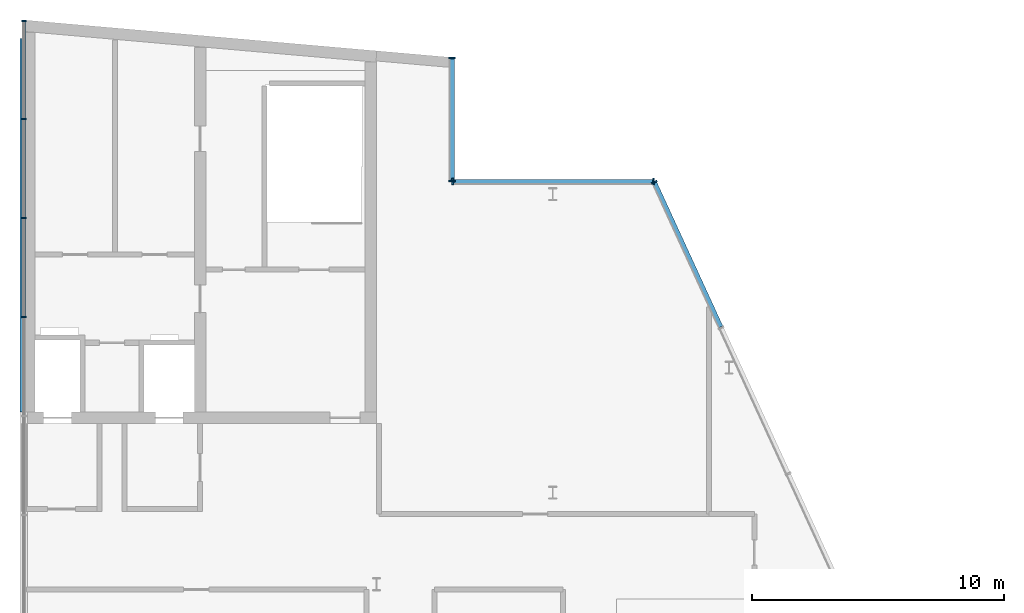
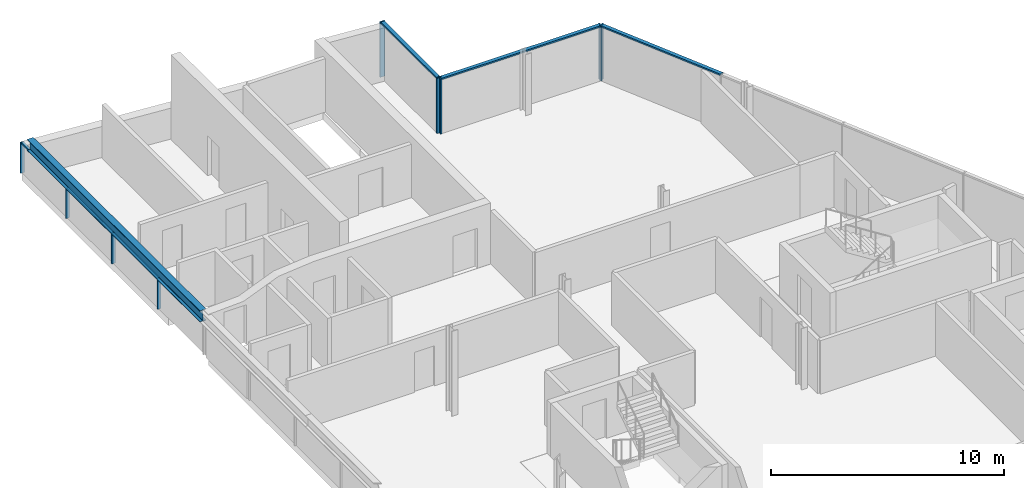
# One storey, part 6 of 10: 15 members, 1 beam, 4 elements without a shape of their own.
"""IFC4 building model written with IfcOpenShell, lengths in metres."""

from ifc_helpers import new_model, si_unit, direction, frame, origin, origin_2d, place, context, subcontext, project, spatial, rectangle, i_section, extrude, material, material_profile, profile_set, type_object, element, aggregate, save


model = new_model("IFC4")

# Units and contexts
model_context = context("Model", 3, precision=1e-05, world=origin(), true_north=direction((0.0, 1.0)))
body_context = subcontext(model_context, "Body", "Model", "MODEL_VIEW")
ifc_project = project(units=[si_unit("LENGTHUNIT", "METRE"), si_unit("AREAUNIT", "SQUARE_METRE"), si_unit("VOLUMEUNIT", "CUBIC_METRE"), si_unit("PLANEANGLEUNIT", "RADIAN"), si_unit("MASSUNIT", "GRAM", prefix="KILO")], contexts=[model_context])

# Site, building, storey
site_placement = place(None, origin())
site = spatial("IfcSite", under=ifc_project, at=site_placement, CompositionType="ELEMENT")
building_placement = place(site_placement, origin())
building = spatial("IfcBuilding", under=site, at=building_placement, Name="Wharfspan Tower", CompositionType="ELEMENT")
storey_placement = place(building_placement, frame((0.0, 0.0, 267.5)))
storey = spatial("IfcBuildingStorey", under=building, at=storey_placement, Name="L68", CompositionType="ELEMENT", Elevation=267.5)

# Curtain wall, members
ifc_material_1 = material(Name="Aluminium 6063-T6", Category="aluminium")
curtain_wall_type_1 = type_object("IfcCurtainWallType", Name="CURTAIN WALL CROWN GABLE", PredefinedType="NOTDEFINED", material=ifc_material_1)
curtain_wall_1_placement = place(storey_placement, origin())
curtain_wall_1 = element("IfcCurtainWall", 1, at=curtain_wall_1_placement, inside=storey, type_object=curtain_wall_type_1, Name="Crown gable glazing", PredefinedType="NOTDEFINED")
ifc_material_profile_1 = material_profile(ifc_material_1, rectangle(XDim=0.179932, YDim=0.060059, at=origin_2d()))
ifc_profile_set_1 = profile_set([ifc_material_profile_1], Name="Aluminium 6063-T6")
member_type_1 = type_object("IfcMemberType", Name="MULLION CROWN GABLE 60x180", PredefinedType="MULLION", material=ifc_profile_set_1)
member_1_placement = place(storey_placement, frame((37.0, 38.223633, 0.0), z_axis=(0.0, 0.0, 1.0), x_axis=(-1.0, 0.0, 0.0)))
member_1 = element("IfcMember", 2, at=member_1_placement, type_object=member_type_1, Name="Crown gable glazing mullion 9", PredefinedType="MULLION", context=body_context, shape_type="SweptSolid", body=[
    extrude(rectangle(XDim=0.179932, YDim=0.060059, at=origin_2d()), origin(), (0.0, 0.0, 1.0), 1.616943),
])
member_2_placement = place(storey_placement, frame((37.0, 42.15332, 0.0), z_axis=(0.0, 0.0, 1.0), x_axis=(-1.0, 0.0, 0.0)))
member_2 = element("IfcMember", 3, at=member_2_placement, type_object=member_type_1, Name="Crown gable glazing mullion 10", PredefinedType="MULLION", context=body_context, shape_type="SweptSolid", body=[
    extrude(rectangle(XDim=0.179932, YDim=0.060059, at=origin_2d()), origin(), (0.0, 0.0, 1.0), 1.616943),
])
member_3_placement = place(storey_placement, frame((37.0, 46.082764, 0.0), z_axis=(0.0, 0.0, 1.0), x_axis=(-1.0, 0.0, 0.0)))
member_3 = element("IfcMember", 4, at=member_3_placement, type_object=member_type_1, Name="Crown gable glazing mullion 11", PredefinedType="MULLION", context=body_context, shape_type="SweptSolid", body=[
    extrude(rectangle(XDim=0.179932, YDim=0.060059, at=origin_2d()), origin(), (0.0, 0.0, 1.0), 1.616943),
])
member_4_placement = place(storey_placement, frame((37.0, 49.982178, 0.0), z_axis=(0.0, 0.0, 1.0), x_axis=(-1.0, 0.0, 0.0)))
member_4 = element("IfcMember", 5, at=member_4_placement, type_object=member_type_1, Name="Crown gable glazing mullion 12", PredefinedType="MULLION", context=body_context, shape_type="SweptSolid", body=[
    extrude(rectangle(XDim=0.179932, YDim=0.060059, at=origin_2d()), origin(), (0.0, 0.0, 1.0), 1.616943),
])

# Curtain wall, member
curtain_wall_type_2 = type_object("IfcCurtainWallType", Name="CURTAIN WALL PROW AND END", PredefinedType="NOTDEFINED", material=ifc_material_1)
curtain_wall_2_placement = place(storey_placement, origin())
curtain_wall_2 = element("IfcCurtainWall", 6, at=curtain_wall_2_placement, inside=storey, type_object=curtain_wall_type_2, Name="Crown curtain wall E", PredefinedType="NOTDEFINED")
ifc_material_profile_2 = material_profile(ifc_material_1, rectangle(XDim=0.23999, YDim=0.060059, at=origin_2d()))
ifc_profile_set_2 = profile_set([ifc_material_profile_2], Name="Aluminium 6063-T6")
member_type_2 = type_object("IfcMemberType", Name="MULLION PROW AND END 60x240", PredefinedType="MULLION", material=ifc_profile_set_2)
member_5_placement = place(storey_placement, frame((62.032959, 43.572754, 0.0), z_axis=(0.0, 0.0, 1.0), x_axis=(-0.908769, -0.417292, 0.0)))
member_5 = element("IfcMember", 7, at=member_5_placement, type_object=member_type_2, Name="Crown curtain wall E mullion 7", PredefinedType="MULLION", context=body_context, shape_type="SweptSolid", body=[
    extrude(rectangle(XDim=0.23999, YDim=0.060059, at=origin_2d()), origin(), (0.0, 0.0, 1.0), 2.892578),
])

# Curtain wall, members
curtain_wall_3_placement = place(storey_placement, origin())
curtain_wall_3 = element("IfcCurtainWall", 8, at=curtain_wall_3_placement, inside=storey, type_object=curtain_wall_type_2, Name="Crown curtain wall NRE-H", PredefinedType="NOTDEFINED")
member_6_placement = place(storey_placement, frame((61.990479, 43.600098, 0.0), z_axis=(0.0, 0.0, 1.0), x_axis=(0.0, -1.0, 0.0)))
member_6 = element("IfcMember", 9, at=member_6_placement, type_object=member_type_2, Name="Crown curtain wall NRE-H mullion 1", PredefinedType="MULLION", context=body_context, shape_type="SweptSolid", body=[
    extrude(rectangle(XDim=0.23999, YDim=0.060059, at=origin_2d()), origin(), (0.0, 0.0, 1.0), 2.892578),
])
member_7_placement = place(storey_placement, frame((54.030029, 43.600098, 0.0), z_axis=(0.0, 0.0, 1.0), x_axis=(0.0, -1.0, 0.0)))
member_7 = element("IfcMember", 10, at=member_7_placement, type_object=member_type_2, Name="Crown curtain wall NRE-H mullion 2", PredefinedType="MULLION", context=body_context, shape_type="SweptSolid", body=[
    extrude(rectangle(XDim=0.23999, YDim=0.060059, at=origin_2d()), origin(), (0.0, 0.0, 1.0), 2.892578),
])

curtain_wall_4_placement = place(storey_placement, origin())
curtain_wall_4 = element("IfcCurtainWall", 11, at=curtain_wall_4_placement, inside=storey, type_object=curtain_wall_type_2, Name="Crown curtain wall NRE-V", PredefinedType="NOTDEFINED")
member_8_placement = place(storey_placement, frame((54.0, 43.629883, 0.0), z_axis=(0.0, 0.0, 1.0), x_axis=(-1.0, 0.0, 0.0)))
member_8 = element("IfcMember", 12, at=member_8_placement, type_object=member_type_2, Name="Crown curtain wall NRE-V mullion 1", PredefinedType="MULLION", context=body_context, shape_type="SweptSolid", body=[
    extrude(rectangle(XDim=0.23999, YDim=0.060059, at=origin_2d()), origin(), (0.0, 0.0, 1.0), 2.892578),
])
member_9_placement = place(storey_placement, frame((54.0, 48.494873, 0.0), z_axis=(0.0, 0.0, 1.0), x_axis=(-1.0, 0.0, 0.0)))
member_9 = element("IfcMember", 13, at=member_9_placement, type_object=member_type_2, Name="Crown curtain wall NRE-V mullion 2", PredefinedType="MULLION", context=body_context, shape_type="SweptSolid", body=[
    extrude(rectangle(XDim=0.23999, YDim=0.060059, at=origin_2d()), origin(), (0.0, 0.0, 1.0), 2.892578),
])

# Beam
ifc_material_2 = material(Name="Steel S355J2", Category="steel")
ifc_material_profile_3 = material_profile(ifc_material_2, i_section(OverallWidth=0.300049, OverallDepth=0.600098, WebThickness=0.015381, FlangeThickness=0.030029, FilletRadius=0.0271, at=origin_2d()))
ifc_profile_set_3 = profile_set([ifc_material_profile_3], Name="Steel S355J2")
beam_type = type_object("IfcBeamType", Name="Roof girder HEB 600", PredefinedType="BEAM", material=ifc_profile_set_3)
beam_placement = place(storey_placement, frame((37.0, 34.449951, 1.921875), z_axis=(0.0, 1.0, 0.0), x_axis=(-1.0, 0.0, 0.0)))
element("IfcBeam", 14, at=beam_placement, inside=storey, type_object=beam_type, Name="Roof girder G3 34 to 49", PredefinedType="BEAM", context=body_context, shape_type="SweptSolid", body=[
    extrude(i_section(OverallWidth=0.300049, OverallDepth=0.600098, WebThickness=0.015381, FlangeThickness=0.030029, FilletRadius=0.0271, at=origin_2d()), origin(), (0.0, 0.0, 1.0), 14.835938),
])

# Member
ifc_material_profile_4 = material_profile(ifc_material_1, rectangle(XDim=0.139893, YDim=0.070068, at=origin_2d()))
ifc_profile_set_4 = profile_set([ifc_material_profile_4], Name="Aluminium 6063-T6")
member_type_3 = type_object("IfcMemberType", Name="TRANSOM CROWN GABLE 70x140", PredefinedType="USERDEFINED", material=ifc_profile_set_4)
member_10_placement = place(storey_placement, frame((37.0, 38.253662, 1.582031), z_axis=(0.0, 1.0, 0.0), x_axis=(-1.0, 0.0, 0.0)))
member_10 = element("IfcMember", 15, at=member_10_placement, type_object=member_type_3, Name="Crown gable glazing transom 9", ObjectType="TRANSOM", PredefinedType="USERDEFINED", context=body_context, shape_type="SweptSolid", body=[
    extrude(rectangle(XDim=0.139893, YDim=0.070068, at=origin_2d()), origin(), (0.0, 0.0, 1.0), 3.869629),
])

member_11_placement = place(storey_placement, frame((37.0, 42.18335, 1.582031), z_axis=(0.0, 1.0, 0.0), x_axis=(-1.0, 0.0, 0.0)))
member_11 = element("IfcMember", 16, at=member_11_placement, type_object=member_type_3, Name="Crown gable glazing transom 10", ObjectType="TRANSOM", PredefinedType="USERDEFINED", context=body_context, shape_type="SweptSolid", body=[
    extrude(rectangle(XDim=0.139893, YDim=0.070068, at=origin_2d()), origin(), (0.0, 0.0, 1.0), 3.869385),
])

member_12_placement = place(storey_placement, frame((37.0, 46.112793, 1.582031), z_axis=(0.0, 1.0, 0.0), x_axis=(-1.0, 0.0, 0.0)))
member_12 = element("IfcMember", 17, at=member_12_placement, type_object=member_type_3, Name="Crown gable glazing transom 11", ObjectType="TRANSOM", PredefinedType="USERDEFINED", context=body_context, shape_type="SweptSolid", body=[
    extrude(rectangle(XDim=0.139893, YDim=0.070068, at=origin_2d()), origin(), (0.0, 0.0, 1.0), 3.839355),
])

aggregate(curtain_wall_1, [member_1, member_2, member_3, member_4, member_10, member_11, member_12])

ifc_material_profile_5 = material_profile(ifc_material_1, rectangle(XDim=0.179932, YDim=0.080078, at=origin_2d()))
ifc_profile_set_5 = profile_set([ifc_material_profile_5], Name="Aluminium 6063-T6")
member_type_4 = type_object("IfcMemberType", Name="TRANSOM PROW AND END 80x180", PredefinedType="USERDEFINED", material=ifc_profile_set_5)
member_13_placement = place(storey_placement, frame((64.671143, 37.827148, 2.852539), z_axis=(-0.417293, 0.908772, 0.0), x_axis=(-0.908772, -0.417293, 0.0)))
member_13 = element("IfcMember", 18, at=member_13_placement, type_object=member_type_4, Name="Crown curtain wall E transom 6", ObjectType="TRANSOM", PredefinedType="USERDEFINED", context=body_context, shape_type="SweptSolid", body=[
    extrude(rectangle(XDim=0.179932, YDim=0.080078, at=origin_2d()), origin(), (0.0, 0.0, 1.0), 6.292236),
])

aggregate(curtain_wall_2, [member_5, member_13])

member_14_placement = place(storey_placement, frame((61.960449, 43.600098, 2.852539), z_axis=(-1.0, 0.0, 0.0), x_axis=(0.0, -1.0, 0.0)))
member_14 = element("IfcMember", 19, at=member_14_placement, type_object=member_type_4, Name="Crown curtain wall NRE-H transom 1", ObjectType="TRANSOM", PredefinedType="USERDEFINED", context=body_context, shape_type="SweptSolid", body=[
    extrude(rectangle(XDim=0.179932, YDim=0.080078, at=origin_2d()), origin(), (0.0, 0.0, 1.0), 7.900391),
])

aggregate(curtain_wall_3, [member_6, member_7, member_14])

member_15_placement = place(storey_placement, frame((54.0, 43.659912, 2.852539), z_axis=(0.0, 1.0, 0.0), x_axis=(-1.0, 0.0, 0.0)))
member_15 = element("IfcMember", 20, at=member_15_placement, type_object=member_type_4, Name="Crown curtain wall NRE-V transom 1", ObjectType="TRANSOM", PredefinedType="USERDEFINED", context=body_context, shape_type="SweptSolid", body=[
    extrude(rectangle(XDim=0.179932, YDim=0.080078, at=origin_2d()), origin(), (0.0, 0.0, 1.0), 4.804932),
])

aggregate(curtain_wall_4, [member_8, member_9, member_15])

save(model, "model.ifc")
